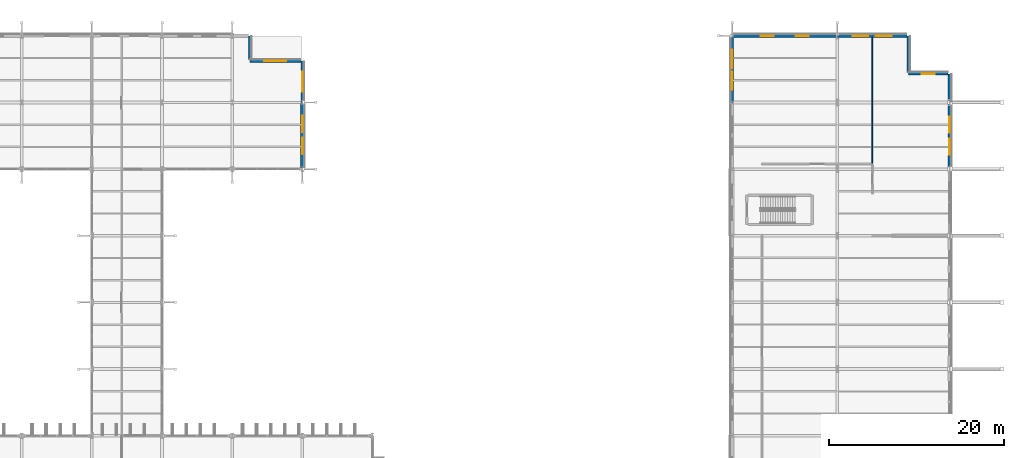
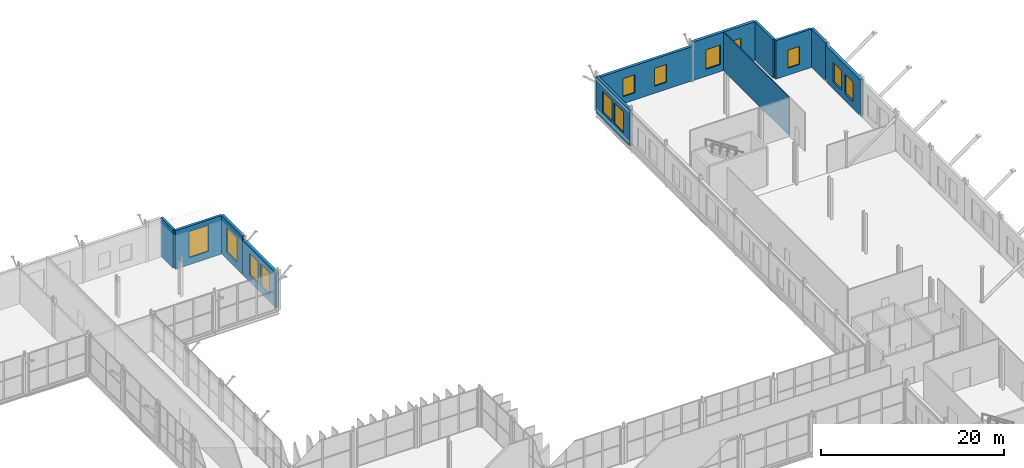
# One storey, part 130 of 147: 13 windows, 12 walls, 13 openings.
"""IFC4 building model written with IfcOpenShell, lengths in metres."""

from ifc_helpers import new_model, si_unit, direction, frame, frame_2d, origin, place, context, subcontext, project, spatial, rectangle, extrude, material, layer, layer_set, type_object, element, fill, save


model = new_model("IFC4")

# Units and contexts
model_context = context("Model", 3, precision=1e-05, world=origin(), true_north=direction((0.0, 1.0)))
body_context = subcontext(model_context, "Body", "Model", "MODEL_VIEW")
ifc_project = project(units=[si_unit("LENGTHUNIT", "METRE"), si_unit("AREAUNIT", "SQUARE_METRE"), si_unit("VOLUMEUNIT", "CUBIC_METRE"), si_unit("PLANEANGLEUNIT", "RADIAN"), si_unit("MASSUNIT", "GRAM", prefix="KILO")], contexts=[model_context])

# Site, building, storey
site_placement = place(None, origin())
site = spatial("IfcSite", under=ifc_project, at=site_placement, CompositionType="ELEMENT")
building_placement = place(site_placement, origin())
building = spatial("IfcBuilding", under=site, at=building_placement, Name="Vekula Escarpment Museum", CompositionType="ELEMENT")
storey_placement = place(building_placement, frame((0.0, 0.0, 7.800048828125)))
storey = spatial("IfcBuildingStorey", under=building, at=storey_placement, Name="L02", CompositionType="ELEMENT", Elevation=7.800048828125)

# Walls
ifc_material_1 = material(Name="Inkisi arkosic sandstone masonry", Category="masonry")
ifc_layer_1 = layer(ifc_material_1, 0.300048828125)
ifc_layer_set_1 = layer_set([ifc_layer_1], Name="Inkisi arkosic sandstone masonry")
wall_type_1 = type_object("IfcWallType", Name="WL-ALM-300", PredefinedType="SOLIDWALL", material=ifc_layer_set_1)
wall_1_placement = place(storey_placement, frame((187.087890625, 136.0, 0.0), z_axis=(0.0, 0.0, 1.0), x_axis=(0.0, -1.0, 0.0)))
element("IfcWall", 1, at=wall_1_placement, inside=storey, type_object=wall_type_1, Name="Exterior Wall WL-EXT-L02-0403", PredefinedType="SOLIDWALL", context=body_context, shape_type="SweptSolid", body=[
    extrude(rectangle(XDim=4.16796875, YDim=0.300048828125, at=frame_2d((2.083984375, 0.0))), origin(), (0.0, 0.0, 1.0), 5.14990234375),
])
wall_2_placement = place(storey_placement, frame((112.0, 136.0, 0.0), z_axis=(0.0, 0.0, 1.0), x_axis=(0.0, -1.0, 0.0)))
element("IfcWall", 2, at=wall_2_placement, inside=storey, type_object=wall_type_1, Name="Exterior Wall WL-EXT-L02-0447", PredefinedType="SOLIDWALL", context=body_context, shape_type="SweptSolid", body=[
    extrude(rectangle(XDim=2.72412109375, YDim=0.300048828125, at=frame_2d((1.362060546875, 0.0))), origin(), (0.0, 0.0, 1.0), 5.14990234375),
])

# Wall, opening, window
ifc_material_2 = material(Name="Inkisi arkosic sandstone masonry", Category="masonry")
ifc_layer_2 = layer(ifc_material_2, 0.320068359375)
ifc_layer_set_2 = layer_set([ifc_layer_2], Name="Inkisi arkosic sandstone masonry")
wall_type_2 = type_object("IfcWallType", Name="WL-ALM-320", PredefinedType="SOLIDWALL", material=ifc_layer_set_2)
wall_3_placement = place(storey_placement, frame((187.087890625, 131.66796875, 0.0), z_axis=(0.0, 0.0, 1.0), x_axis=(1.0, 0.0, 0.0)))
wall_3 = element("IfcWall", 3, at=wall_3_placement, inside=storey, type_object=wall_type_2, Name="Exterior Wall WL-EXT-L02-0402", PredefinedType="SOLIDWALL", context=body_context, shape_type="SweptSolid", body=[
    extrude(rectangle(XDim=4.533203125, YDim=0.320068359375, at=frame_2d((2.2666015625, 0.0))), origin(), (0.0, 0.0, 1.0), 5.14990234375),
])
opening_1_placement = place(wall_3_placement, frame((1.5166015625, 0.0, 0.949951171875)))
opening_1 = element("IfcOpeningElement", 4, at=opening_1_placement, cuts=wall_3, Name="Opening WN-06", PredefinedType="OPENING", context=body_context, shape_type="SweptSolid", body=[
    extrude(rectangle(XDim=1.5, YDim=2.39990234375, at=frame_2d((0.75, 1.199951171875))), frame((0.0, 0.169921875, 0.0), z_axis=(0.0, -1.0, 0.0), x_axis=(1.0, 0.0, 0.0)), (0.0, 0.0, 1.0), 0.340087890625),
])
ifc_material_3 = material(Name="Double solar-control low-E glass", Category="glass")
window_type_1 = type_object("IfcWindowType", Name="WN-CUMBA-15x24", PartitioningType="SINGLE_PANEL", PredefinedType="WINDOW", material=ifc_material_3)
window_1_placement = place(opening_1_placement, origin())
window_1 = element("IfcWindow", 5, at=window_1_placement, inside=storey, type_object=window_type_1, Name="Window L02-0202", OverallHeight=2.39990234375, OverallWidth=1.5, PartitioningType="SINGLE_PANEL", PredefinedType="WINDOW", context=body_context, shape_type="SweptSolid", body=[
    extrude(rectangle(XDim=1.5, YDim=2.39990234375, at=frame_2d((0.75, 1.199951171875))), frame((0.0, 0.030029296875, 0.0), z_axis=(0.0, -1.0, 0.0), x_axis=(1.0, 0.0, 0.0)), (0.0, 0.0, 1.0), 0.06005859375),
])
fill(opening_1, window_1)

# Wall, openings, windows
wall_4_placement = place(storey_placement, frame((167.0, 128.39990234375, 0.0), z_axis=(0.0, 0.0, 1.0), x_axis=(0.0, 1.0, 0.0)))
wall_4 = element("IfcWall", 6, at=wall_4_placement, inside=storey, type_object=wall_type_2, Name="Exterior Wall WL-EXT-L02-0406", PredefinedType="SOLIDWALL", context=body_context, shape_type="SweptSolid", body=[
    extrude(rectangle(XDim=7.421142578125, YDim=0.320068359375, at=frame_2d((3.71044921875, 0.0))), origin(), (0.0, 0.0, 1.0), 4.81494140625),
])
opening_2_placement = place(wall_4_placement, frame((1.423583984375, 0.0, 0.949951171875)))
opening_2 = element("IfcOpeningElement", 7, at=opening_2_placement, cuts=wall_4, Name="Opening WN-08", PredefinedType="OPENING", context=body_context, shape_type="SweptSolid", body=[
    extrude(rectangle(XDim=2.10009765625, YDim=2.800048828125, at=frame_2d((1.050048828125, 1.39990234375))), frame((0.0, 0.169921875, 0.0), z_axis=(0.0, -1.0, 0.0), x_axis=(1.0, 0.0, 0.0)), (0.0, 0.0, 1.0), 0.340087890625),
])
opening_3_placement = place(wall_4_placement, frame((3.897216796875, 0.0, 0.949951171875)))
opening_3 = element("IfcOpeningElement", 8, at=opening_3_placement, cuts=wall_4, Name="Opening WN-08", PredefinedType="OPENING", context=body_context, shape_type="SweptSolid", body=[
    extrude(rectangle(XDim=2.10009765625, YDim=2.800048828125, at=frame_2d((1.050048828125, 1.39990234375))), frame((0.0, 0.169921875, 0.0), z_axis=(0.0, -1.0, 0.0), x_axis=(1.0, 0.0, 0.0)), (0.0, 0.0, 1.0), 0.340087890625),
])
ifc_material_4 = material(Name="Double solar-control low-E glass", Category="glass")
window_type_2 = type_object("IfcWindowType", Name="WN-CUMBA-21x28", PartitioningType="DOUBLE_PANEL_VERTICAL", PredefinedType="WINDOW", material=ifc_material_4)
window_2_placement = place(opening_2_placement, origin())
window_2 = element("IfcWindow", 9, at=window_2_placement, inside=storey, type_object=window_type_2, Name="Window L02-0207", OverallHeight=2.800048828125, OverallWidth=2.10009765625, PartitioningType="SINGLE_PANEL", PredefinedType="WINDOW", context=body_context, shape_type="SweptSolid", body=[
    extrude(rectangle(XDim=2.10009765625, YDim=2.800048828125, at=frame_2d((1.050048828125, 1.39990234375))), frame((0.0, 0.030029296875, 0.0), z_axis=(0.0, -1.0, 0.0), x_axis=(1.0, 0.0, 0.0)), (0.0, 0.0, 1.0), 0.06005859375),
])
fill(opening_2, window_2)
window_3_placement = place(opening_3_placement, origin())
window_3 = element("IfcWindow", 10, at=window_3_placement, inside=storey, type_object=window_type_2, Name="Window L02-0208", OverallHeight=2.800048828125, OverallWidth=2.10009765625, PartitioningType="SINGLE_PANEL", PredefinedType="WINDOW", context=body_context, shape_type="SweptSolid", body=[
    extrude(rectangle(XDim=2.10009765625, YDim=2.800048828125, at=frame_2d((1.050048828125, 1.39990234375))), frame((0.0, 0.030029296875, 0.0), z_axis=(0.0, -1.0, 0.0), x_axis=(1.0, 0.0, 0.0)), (0.0, 0.0, 1.0), 0.06005859375),
])
fill(opening_3, window_3)

# Wall, opening, window
wall_5_placement = place(storey_placement, frame((112.0, 133.112060546875, 0.0), z_axis=(0.0, 0.0, 1.0), x_axis=(1.0, 0.0, 0.0)))
wall_5 = element("IfcWall", 11, at=wall_5_placement, inside=storey, type_object=wall_type_2, Name="Exterior Wall WL-EXT-L02-0446", PredefinedType="SOLIDWALL", context=body_context, shape_type="SweptSolid", body=[
    extrude(rectangle(XDim=5.821044921875, YDim=0.320068359375, at=frame_2d((2.91064453125, 0.0))), origin(), (0.0, 0.0, 1.0), 5.14990234375),
])
opening_4_placement = place(wall_5_placement, frame((1.660400390625, 0.0, 0.949951171875)))
opening_4 = element("IfcOpeningElement", 12, at=opening_4_placement, cuts=wall_5, Name="Opening WN-23", PredefinedType="OPENING", context=body_context, shape_type="SweptSolid", body=[
    extrude(rectangle(XDim=2.5, YDim=3.5, at=frame_2d((1.25, 1.75))), frame((0.0, 0.169921875, 0.0), z_axis=(0.0, -1.0, 0.0), x_axis=(1.0, 0.0, 0.0)), (0.0, 0.0, 1.0), 0.340087890625),
])
ifc_material_5 = material(Name="Double solar-control low-E glass", Category="glass")
window_type_3 = type_object("IfcWindowType", Name="WN-GAL-25x35", PartitioningType="TRIPLE_PANEL_VERTICAL", PredefinedType="WINDOW", material=ifc_material_5)
window_4_placement = place(opening_4_placement, origin())
window_4 = element("IfcWindow", 13, at=window_4_placement, inside=storey, type_object=window_type_3, Name="Window L02-0225", OverallHeight=3.5, OverallWidth=2.5, PartitioningType="SINGLE_PANEL", PredefinedType="WINDOW", context=body_context, shape_type="SweptSolid", body=[
    extrude(rectangle(XDim=2.5, YDim=3.5, at=frame_2d((1.25, 1.75))), frame((0.0, 0.030029296875, 0.0), z_axis=(0.0, -1.0, 0.0), x_axis=(1.0, 0.0, 0.0)), (0.0, 0.0, 1.0), 0.06005859375),
])
fill(opening_4, window_4)

# Wall
ifc_material_6 = material(Name="Inkisi arkosic sandstone masonry", Category="masonry")
ifc_layer_3 = layer(ifc_material_6, 0.35009765625)
ifc_layer_set_3 = layer_set([ifc_layer_3], Name="Inkisi arkosic sandstone masonry")
wall_type_3 = type_object("IfcWallType", Name="WL-ALM-350", PredefinedType="SOLIDWALL", material=ifc_layer_set_3)
wall_6_placement = place(storey_placement, frame((191.800048828125, 131.66796875, 0.0), z_axis=(0.0, 0.0, 1.0), x_axis=(0.0, -1.0, 0.0)))
element("IfcWall", 14, at=wall_6_placement, inside=storey, type_object=wall_type_3, Name="Exterior Wall WL-EXT-L02-0401", PredefinedType="SOLIDWALL", context=body_context, shape_type="SweptSolid", body=[
    extrude(rectangle(XDim=3.26806640625, YDim=0.35009765625, at=frame_2d((1.634033203125, 0.0))), origin(), (0.0, 0.0, 1.0), 5.14990234375),
])

# Wall, openings, windows
wall_7_placement = place(storey_placement, frame((167.0, 136.0, 0.0), z_axis=(0.0, 0.0, 1.0), x_axis=(1.0, 0.0, 0.0)))
wall_7 = element("IfcWall", 15, at=wall_7_placement, inside=storey, type_object=wall_type_3, Name="Exterior Wall WL-EXT-L02-0405", PredefinedType="SOLIDWALL", context=body_context, shape_type="SweptSolid", body=[
    extrude(rectangle(XDim=12.0, YDim=0.35009765625, at=frame_2d((6.0, 0.0))), origin(), (0.0, 0.0, 1.0), 4.5849609375),
])
opening_5_placement = place(wall_7_placement, frame((3.25, 0.0, 0.949951171875)))
opening_5 = element("IfcOpeningElement", 16, at=opening_5_placement, cuts=wall_7, Name="Opening WN-06", PredefinedType="OPENING", context=body_context, shape_type="SweptSolid", body=[
    extrude(rectangle(XDim=1.5, YDim=2.39990234375, at=frame_2d((0.75, 1.199951171875))), frame((0.0, 0.18505859375, 0.0), z_axis=(0.0, -1.0, 0.0), x_axis=(1.0, 0.0, 0.0)), (0.0, 0.0, 1.0), 0.3701171875),
])
opening_6_placement = place(wall_7_placement, frame((7.25, 0.0, 0.949951171875)))
opening_6 = element("IfcOpeningElement", 17, at=opening_6_placement, cuts=wall_7, Name="Opening WN-06", PredefinedType="OPENING", context=body_context, shape_type="SweptSolid", body=[
    extrude(rectangle(XDim=1.5, YDim=2.39990234375, at=frame_2d((0.75, 1.199951171875))), frame((0.0, 0.18505859375, 0.0), z_axis=(0.0, -1.0, 0.0), x_axis=(1.0, 0.0, 0.0)), (0.0, 0.0, 1.0), 0.3701171875),
])
window_5_placement = place(opening_5_placement, origin())
window_5 = element("IfcWindow", 18, at=window_5_placement, inside=storey, type_object=window_type_1, Name="Window L02-0205", OverallHeight=2.39990234375, OverallWidth=1.5, PartitioningType="SINGLE_PANEL", PredefinedType="WINDOW", context=body_context, shape_type="SweptSolid", body=[
    extrude(rectangle(XDim=1.5, YDim=2.39990234375, at=frame_2d((0.75, 1.199951171875))), frame((0.0, 0.030029296875, 0.0), z_axis=(0.0, -1.0, 0.0), x_axis=(1.0, 0.0, 0.0)), (0.0, 0.0, 1.0), 0.06005859375),
])
fill(opening_5, window_5)
window_6_placement = place(opening_6_placement, origin())
window_6 = element("IfcWindow", 19, at=window_6_placement, inside=storey, type_object=window_type_1, Name="Window L02-0206", OverallHeight=2.39990234375, OverallWidth=1.5, PartitioningType="SINGLE_PANEL", PredefinedType="WINDOW", context=body_context, shape_type="SweptSolid", body=[
    extrude(rectangle(XDim=1.5, YDim=2.39990234375, at=frame_2d((0.75, 1.199951171875))), frame((0.0, 0.030029296875, 0.0), z_axis=(0.0, -1.0, 0.0), x_axis=(1.0, 0.0, 0.0)), (0.0, 0.0, 1.0), 0.06005859375),
])
fill(opening_6, window_6)

# Wall, opening, window
wall_8_placement = place(storey_placement, frame((118.0, 133.112060546875, 0.0), z_axis=(0.0, 0.0, 1.0), x_axis=(0.0, -1.0, 0.0)))
wall_8 = element("IfcWall", 20, at=wall_8_placement, inside=storey, type_object=wall_type_3, Name="Exterior Wall WL-EXT-L02-0445", PredefinedType="SOLIDWALL", context=body_context, shape_type="SweptSolid", body=[
    extrude(rectangle(XDim=4.712158203125, YDim=0.35009765625, at=frame_2d((2.35595703125, 0.0))), origin(), (0.0, 0.0, 1.0), 5.14990234375),
])
opening_7_placement = place(wall_8_placement, frame((1.2060546875, 0.0, 0.949951171875)))
opening_7 = element("IfcOpeningElement", 21, at=opening_7_placement, cuts=wall_8, Name="Opening WN-22", PredefinedType="OPENING", context=body_context, shape_type="SweptSolid", body=[
    extrude(rectangle(XDim=2.300048828125, YDim=3.300048828125, at=frame_2d((1.14990234375, 1.64990234375))), frame((0.0, 0.18505859375, 0.0), z_axis=(0.0, -1.0, 0.0), x_axis=(1.0, 0.0, 0.0)), (0.0, 0.0, 1.0), 0.3701171875),
])
ifc_material_7 = material(Name="Double solar-control low-E glass", Category="glass")
window_type_4 = type_object("IfcWindowType", Name="WN-GAL-23x33", PartitioningType="TRIPLE_PANEL_VERTICAL", PredefinedType="WINDOW", material=ifc_material_7)
window_7_placement = place(opening_7_placement, origin())
window_7 = element("IfcWindow", 22, at=window_7_placement, inside=storey, type_object=window_type_4, Name="Window L02-0224", OverallHeight=3.300048828125, OverallWidth=2.300048828125, PartitioningType="SINGLE_PANEL", PredefinedType="WINDOW", context=body_context, shape_type="SweptSolid", body=[
    extrude(rectangle(XDim=2.300048828125, YDim=3.300048828125, at=frame_2d((1.14990234375, 1.64990234375))), frame((0.0, 0.030029296875, 0.0), z_axis=(0.0, -1.0, 0.0), x_axis=(1.0, 0.0, 0.0)), (0.0, 0.0, 1.0), 0.06005859375),
])
fill(opening_7, window_7)

# Wall, openings, windows
ifc_material_8 = material(Name="Inkisi arkosic sandstone masonry", Category="masonry")
ifc_layer_4 = layer(ifc_material_8, 0.3798828125)
ifc_layer_set_4 = layer_set([ifc_layer_4], Name="Inkisi arkosic sandstone masonry")
wall_type_4 = type_object("IfcWallType", Name="WL-ALM-380", PredefinedType="SOLIDWALL", material=ifc_layer_set_4)
wall_9_placement = place(storey_placement, frame((191.800048828125, 128.39990234375, 0.0), z_axis=(0.0, 0.0, 1.0), x_axis=(0.0, -1.0, 0.0)))
wall_9 = element("IfcWall", 23, at=wall_9_placement, inside=storey, type_object=wall_type_4, Name="Exterior Wall WL-EXT-L02-0400", PredefinedType="SOLIDWALL", context=body_context, shape_type="SweptSolid", body=[
    extrude(rectangle(XDim=7.599853515625, YDim=0.3798828125, at=frame_2d((3.7998046875, 0.0))), origin(), (0.0, 0.0, 1.0), 4.81494140625),
])
opening_8_placement = place(wall_9_placement, frame((1.63330078125, 0.0, 0.949951171875)))
opening_8 = element("IfcOpeningElement", 24, at=opening_8_placement, cuts=wall_9, Name="Opening WN-07", PredefinedType="OPENING", context=body_context, shape_type="SweptSolid", body=[
    extrude(rectangle(XDim=1.800048828125, YDim=2.60009765625, at=frame_2d((0.89990234375, 1.300048828125))), frame((0.0, 0.199951171875, 0.0), z_axis=(0.0, -1.0, 0.0), x_axis=(1.0, 0.0, 0.0)), (0.0, 0.0, 1.0), 0.39990234375),
])
opening_9_placement = place(wall_9_placement, frame((4.166748046875, 0.0, 0.949951171875)))
opening_9 = element("IfcOpeningElement", 25, at=opening_9_placement, cuts=wall_9, Name="Opening WN-07", PredefinedType="OPENING", context=body_context, shape_type="SweptSolid", body=[
    extrude(rectangle(XDim=1.800048828125, YDim=2.60009765625, at=frame_2d((0.89990234375, 1.300048828125))), frame((0.0, 0.199951171875, 0.0), z_axis=(0.0, -1.0, 0.0), x_axis=(1.0, 0.0, 0.0)), (0.0, 0.0, 1.0), 0.39990234375),
])
ifc_material_9 = material(Name="Double solar-control low-E glass", Category="glass")
window_type_5 = type_object("IfcWindowType", Name="WN-CUMBA-18x26", PartitioningType="DOUBLE_PANEL_VERTICAL", PredefinedType="WINDOW", material=ifc_material_9)
window_8_placement = place(opening_8_placement, origin())
window_8 = element("IfcWindow", 26, at=window_8_placement, inside=storey, type_object=window_type_5, Name="Window L02-0200", OverallHeight=2.60009765625, OverallWidth=1.800048828125, PartitioningType="SINGLE_PANEL", PredefinedType="WINDOW", context=body_context, shape_type="SweptSolid", body=[
    extrude(rectangle(XDim=1.800048828125, YDim=2.60009765625, at=frame_2d((0.89990234375, 1.300048828125))), frame((0.0, 0.030029296875, 0.0), z_axis=(0.0, -1.0, 0.0), x_axis=(1.0, 0.0, 0.0)), (0.0, 0.0, 1.0), 0.06005859375),
])
fill(opening_8, window_8)
window_9_placement = place(opening_9_placement, origin())
window_9 = element("IfcWindow", 27, at=window_9_placement, inside=storey, type_object=window_type_5, Name="Window L02-0201", OverallHeight=2.60009765625, OverallWidth=1.800048828125, PartitioningType="SINGLE_PANEL", PredefinedType="WINDOW", context=body_context, shape_type="SweptSolid", body=[
    extrude(rectangle(XDim=1.800048828125, YDim=2.60009765625, at=frame_2d((0.89990234375, 1.300048828125))), frame((0.0, 0.030029296875, 0.0), z_axis=(0.0, -1.0, 0.0), x_axis=(1.0, 0.0, 0.0)), (0.0, 0.0, 1.0), 0.06005859375),
])
fill(opening_9, window_9)

wall_10_placement = place(storey_placement, frame((179.0, 136.0, 0.0), z_axis=(0.0, 0.0, 1.0), x_axis=(1.0, 0.0, 0.0)))
wall_10 = element("IfcWall", 28, at=wall_10_placement, inside=storey, type_object=wall_type_4, Name="Exterior Wall WL-EXT-L02-0404", PredefinedType="SOLIDWALL", context=body_context, shape_type="SweptSolid", body=[
    extrude(rectangle(XDim=7.93408203125, YDim=0.3798828125, at=frame_2d((3.967041015625, 0.0))), origin(), (0.0, 0.0, 1.0), 5.14990234375),
])
opening_10_placement = place(wall_10_placement, frame((1.74462890625, 0.0, 0.949951171875)))
opening_10 = element("IfcOpeningElement", 29, at=opening_10_placement, cuts=wall_10, Name="Opening WN-07", PredefinedType="OPENING", context=body_context, shape_type="SweptSolid", body=[
    extrude(rectangle(XDim=1.800048828125, YDim=2.60009765625, at=frame_2d((0.89990234375, 1.300048828125))), frame((0.0, 0.199951171875, 0.0), z_axis=(0.0, -1.0, 0.0), x_axis=(1.0, 0.0, 0.0)), (0.0, 0.0, 1.0), 0.39990234375),
])
opening_11_placement = place(wall_10_placement, frame((4.389404296875, 0.0, 0.949951171875)))
opening_11 = element("IfcOpeningElement", 30, at=opening_11_placement, cuts=wall_10, Name="Opening WN-07", PredefinedType="OPENING", context=body_context, shape_type="SweptSolid", body=[
    extrude(rectangle(XDim=1.800048828125, YDim=2.60009765625, at=frame_2d((0.89990234375, 1.300048828125))), frame((0.0, 0.199951171875, 0.0), z_axis=(0.0, -1.0, 0.0), x_axis=(1.0, 0.0, 0.0)), (0.0, 0.0, 1.0), 0.39990234375),
])
window_10_placement = place(opening_10_placement, origin())
window_10 = element("IfcWindow", 31, at=window_10_placement, inside=storey, type_object=window_type_5, Name="Window L02-0203", OverallHeight=2.60009765625, OverallWidth=1.800048828125, PartitioningType="SINGLE_PANEL", PredefinedType="WINDOW", context=body_context, shape_type="SweptSolid", body=[
    extrude(rectangle(XDim=1.800048828125, YDim=2.60009765625, at=frame_2d((0.89990234375, 1.300048828125))), frame((0.0, 0.030029296875, 0.0), z_axis=(0.0, -1.0, 0.0), x_axis=(1.0, 0.0, 0.0)), (0.0, 0.0, 1.0), 0.06005859375),
])
fill(opening_10, window_10)
window_11_placement = place(opening_11_placement, origin())
window_11 = element("IfcWindow", 32, at=window_11_placement, inside=storey, type_object=window_type_5, Name="Window L02-0204", OverallHeight=2.60009765625, OverallWidth=1.800048828125, PartitioningType="SINGLE_PANEL", PredefinedType="WINDOW", context=body_context, shape_type="SweptSolid", body=[
    extrude(rectangle(XDim=1.800048828125, YDim=2.60009765625, at=frame_2d((0.89990234375, 1.300048828125))), frame((0.0, 0.030029296875, 0.0), z_axis=(0.0, -1.0, 0.0), x_axis=(1.0, 0.0, 0.0)), (0.0, 0.0, 1.0), 0.06005859375),
])
fill(opening_11, window_11)

wall_11_placement = place(storey_placement, frame((118.0, 128.39990234375, 0.0), z_axis=(0.0, 0.0, 1.0), x_axis=(0.0, -1.0, 0.0)))
wall_11 = element("IfcWall", 33, at=wall_11_placement, inside=storey, type_object=wall_type_4, Name="Exterior Wall WL-EXT-L02-0444", PredefinedType="SOLIDWALL", context=body_context, shape_type="SweptSolid", body=[
    extrude(rectangle(XDim=7.4208984375, YDim=0.3798828125, at=frame_2d((3.71044921875, 0.0))), origin(), (0.0, 0.0, 1.0), 4.68505859375),
])
opening_12_placement = place(wall_11_placement, frame((1.523681640625, 0.0, 0.949951171875)))
opening_12 = element("IfcOpeningElement", 34, at=opening_12_placement, cuts=wall_11, Name="Opening WN-20", PredefinedType="OPENING", context=body_context, shape_type="SweptSolid", body=[
    extrude(rectangle(XDim=1.89990234375, YDim=2.89990234375, at=frame_2d((0.949951171875, 1.449951171875))), frame((0.0, 0.199951171875, 0.0), z_axis=(0.0, -1.0, 0.0), x_axis=(1.0, 0.0, 0.0)), (0.0, 0.0, 1.0), 0.39990234375),
])
opening_13_placement = place(wall_11_placement, frame((3.997314453125, 0.0, 0.949951171875)))
opening_13 = element("IfcOpeningElement", 35, at=opening_13_placement, cuts=wall_11, Name="Opening WN-20", PredefinedType="OPENING", context=body_context, shape_type="SweptSolid", body=[
    extrude(rectangle(XDim=1.89990234375, YDim=2.89990234375, at=frame_2d((0.949951171875, 1.449951171875))), frame((0.0, 0.199951171875, 0.0), z_axis=(0.0, -1.0, 0.0), x_axis=(1.0, 0.0, 0.0)), (0.0, 0.0, 1.0), 0.39990234375),
])
ifc_material_10 = material(Name="Double solar-control low-E glass", Category="glass")
window_type_6 = type_object("IfcWindowType", Name="WN-GAL-19x29", PartitioningType="DOUBLE_PANEL_VERTICAL", PredefinedType="WINDOW", material=ifc_material_10)
window_12_placement = place(opening_12_placement, origin())
window_12 = element("IfcWindow", 36, at=window_12_placement, inside=storey, type_object=window_type_6, Name="Window L02-0222", OverallHeight=2.89990234375, OverallWidth=1.89990234375, PartitioningType="SINGLE_PANEL", PredefinedType="WINDOW", context=body_context, shape_type="SweptSolid", body=[
    extrude(rectangle(XDim=1.89990234375, YDim=2.89990234375, at=frame_2d((0.949951171875, 1.449951171875))), frame((0.0, 0.030029296875, 0.0), z_axis=(0.0, -1.0, 0.0), x_axis=(1.0, 0.0, 0.0)), (0.0, 0.0, 1.0), 0.06005859375),
])
fill(opening_12, window_12)
window_13_placement = place(opening_13_placement, origin())
window_13 = element("IfcWindow", 37, at=window_13_placement, inside=storey, type_object=window_type_6, Name="Window L02-0223", OverallHeight=2.89990234375, OverallWidth=1.89990234375, PartitioningType="SINGLE_PANEL", PredefinedType="WINDOW", context=body_context, shape_type="SweptSolid", body=[
    extrude(rectangle(XDim=1.89990234375, YDim=2.89990234375, at=frame_2d((0.949951171875, 1.449951171875))), frame((0.0, 0.030029296875, 0.0), z_axis=(0.0, -1.0, 0.0), x_axis=(1.0, 0.0, 0.0)), (0.0, 0.0, 1.0), 0.06005859375),
])
fill(opening_13, window_13)

# Wall
ifc_material_11 = material(Name="Lightweight studio partition", Category="gypsum")
ifc_layer_5 = layer(ifc_material_11, 0.1201171875)
ifc_layer_set_5 = layer_set([ifc_layer_5], Name="Lightweight studio partition")
wall_type_5 = type_object("IfcWallType", Name="WL-PART-120", PredefinedType="PARTITIONING", material=ifc_layer_set_5)
wall_12_placement = place(storey_placement, frame((183.0, 121.48388671875, 0.0), z_axis=(0.0, 0.0, 1.0), x_axis=(0.0, 1.0, 0.0)))
element("IfcWall", 38, at=wall_12_placement, inside=storey, type_object=wall_type_5, Name="Interior Partition WL-INT-L02-0012", PredefinedType="PARTITIONING", context=body_context, shape_type="SweptSolid", body=[
    extrude(rectangle(XDim=14.322021484375, YDim=0.1201171875, at=frame_2d((7.1611328125, 0.0))), origin(), (0.0, 0.0, 1.0), 5.14990234375),
])

save(model, "model.ifc")
